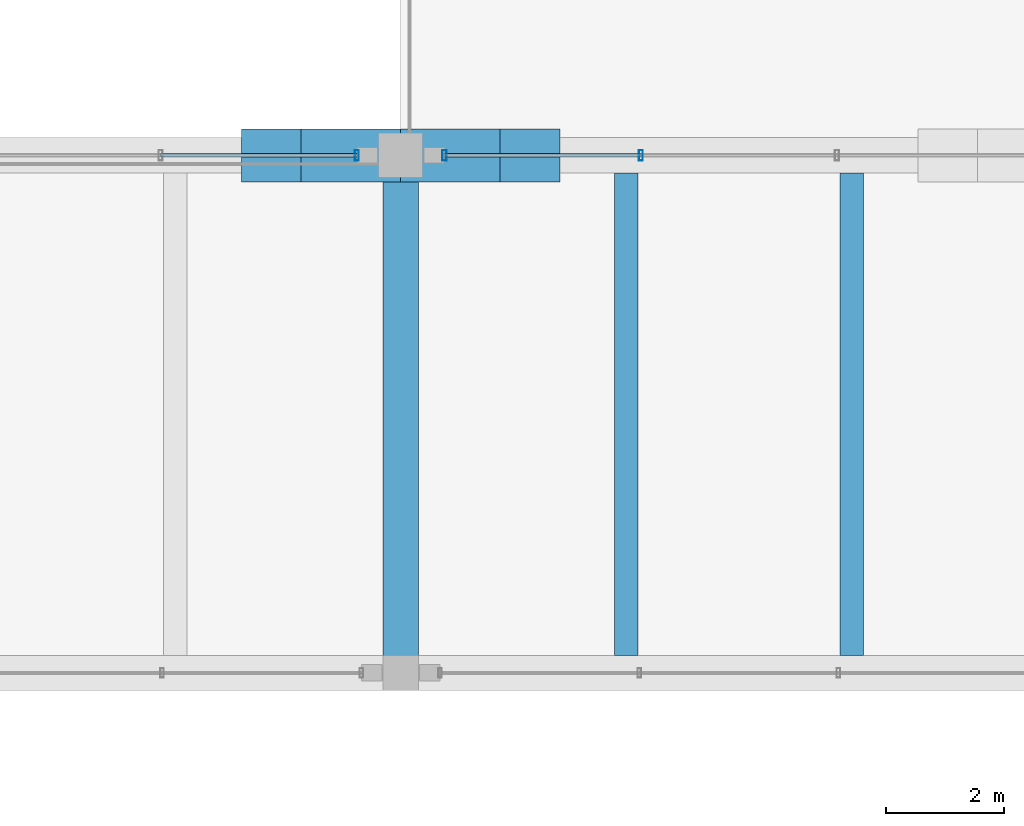
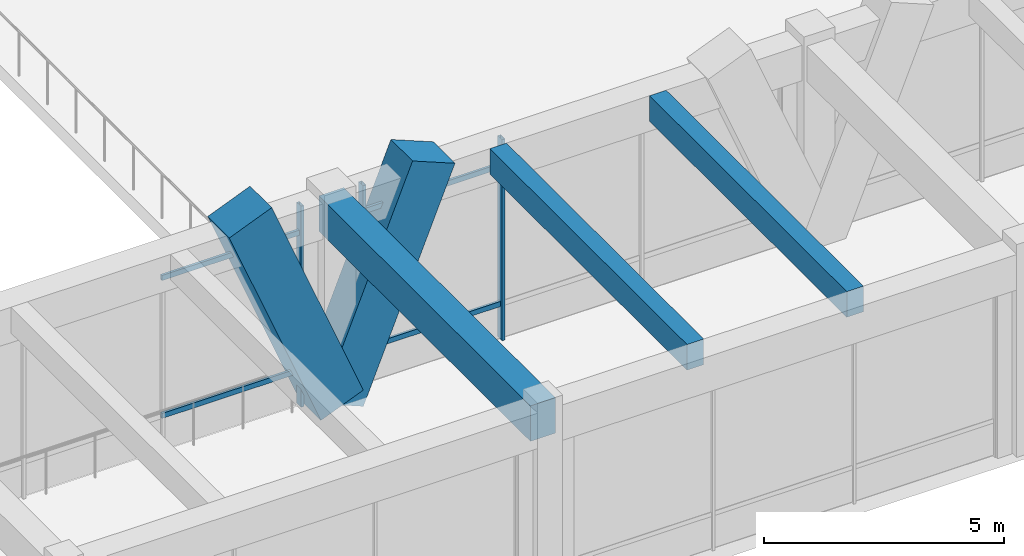
# One storey, part 17 of 148: 9 members, 3 beams, 2 elements without a shape of their own.
"""IFC4 building model written with IfcOpenShell, lengths in metres."""

from ifc_helpers import new_model, si_unit, direction, frame, origin, origin_2d, place, context, subcontext, project, spatial, rectangle, hollow_rectangle, extrude, material, material_profile, profile_set, type_object, element, aggregate, save


model = new_model("IFC4")

# Units and contexts
model_context = context("Model", 3, precision=1e-05, world=origin(), true_north=direction((0.0, 1.0)))
body_context = subcontext(model_context, "Body", "Model", "MODEL_VIEW")
ifc_project = project(units=[si_unit("LENGTHUNIT", "METRE"), si_unit("AREAUNIT", "SQUARE_METRE"), si_unit("VOLUMEUNIT", "CUBIC_METRE"), si_unit("PLANEANGLEUNIT", "RADIAN"), si_unit("MASSUNIT", "GRAM", prefix="KILO")], contexts=[model_context])

# Site, building, storey
site_placement = place(None, origin())
site = spatial("IfcSite", under=ifc_project, at=site_placement, CompositionType="ELEMENT")
building_placement = place(site_placement, origin())
building = spatial("IfcBuilding", under=site, at=building_placement, Name="Ologun Quay Terminus", CompositionType="ELEMENT")
storey_placement = place(building_placement, frame((0.0, 0.0, 8.39990234375)))
storey = spatial("IfcBuildingStorey", under=building, at=storey_placement, Name="L02", CompositionType="ELEMENT", Elevation=8.39990234375)

# Curtain wall, member
ifc_material_1 = material(Name="Aluminium 6063-T6", Category="aluminium")
curtain_wall_type = type_object("IfcCurtainWallType", Name="Train Shed South Clerestory Curtain Wall 10700x5050", PredefinedType="USERDEFINED", material=ifc_material_1)
curtain_wall_1_placement = place(storey_placement, origin())
curtain_wall_1 = element("IfcCurtainWall", 1, at=curtain_wall_1_placement, inside=storey, type_object=curtain_wall_type, Name="CW-08 Curtain Wall CW-L02-048", ObjectType="UNITISED CURTAIN WALL", PredefinedType="USERDEFINED")
ifc_material_2 = material(Name="Aluminium 6063-T6", Category="aluminium")
ifc_material_profile_1 = material_profile(ifc_material_2, hollow_rectangle(XDim=0.070068359375, YDim=0.179931640625, WallThickness=0.0048828125, at=origin_2d()), Name="ALU 180x70x5")
ifc_profile_set_1 = profile_set([ifc_material_profile_1], Name="Aluminium 6063-T6")
member_type_1 = type_object("IfcMemberType", Name="Concourse Clerestory Mullion 180x70", PredefinedType="MULLION", material=ifc_profile_set_1)
member_1_placement = place(storey_placement, frame((33.7548828125, 36.0, 0.0), z_axis=(0.0, 0.0, 1.0), x_axis=(1.0, 0.0, 0.0)))
member_1 = element("IfcMember", 2, at=member_1_placement, type_object=member_type_1, Name="CW-L02-048 Mullion 4", PredefinedType="MULLION", context=body_context, shape_type="SweptSolid", body=[
    extrude(hollow_rectangle(XDim=0.070068359375, YDim=0.179931640625, WallThickness=0.0048828125, at=origin_2d()), origin(), (0.0, 0.0, 1.0), 5.10009765625),
])

# Curtain wall, members
curtain_wall_2_placement = place(storey_placement, origin())
curtain_wall_2 = element("IfcCurtainWall", 3, at=curtain_wall_2_placement, inside=storey, type_object=curtain_wall_type, Name="CW-08 Curtain Wall CW-L02-050", ObjectType="UNITISED CURTAIN WALL", PredefinedType="USERDEFINED")
member_2_placement = place(storey_placement, frame((35.2451171875, 36.0, 0.0), z_axis=(0.0, 0.0, 1.0), x_axis=(1.0, 0.0, 0.0)))
member_2 = element("IfcMember", 4, at=member_2_placement, type_object=member_type_1, Name="CW-L02-050 Mullion 1", PredefinedType="MULLION", context=body_context, shape_type="SweptSolid", body=[
    extrude(hollow_rectangle(XDim=0.070068359375, YDim=0.179931640625, WallThickness=0.0048828125, at=origin_2d()), origin(), (0.0, 0.0, 1.0), 5.10009765625),
])
member_3_placement = place(storey_placement, frame((38.581787109375, 36.0, 0.0), z_axis=(0.0, 0.0, 1.0), x_axis=(1.0, 0.0, 0.0)))
member_3 = element("IfcMember", 5, at=member_3_placement, type_object=member_type_1, Name="CW-L02-050 Mullion 2", PredefinedType="MULLION", context=body_context, shape_type="SweptSolid", body=[
    extrude(hollow_rectangle(XDim=0.070068359375, YDim=0.179931640625, WallThickness=0.0048828125, at=origin_2d()), origin(), (0.0, 0.0, 1.0), 5.10009765625),
])

# Member
ifc_material_3 = material(Name="Aluminium 6063-T6", Category="aluminium")
ifc_material_profile_2 = material_profile(ifc_material_3, hollow_rectangle(XDim=0.06005859375, YDim=0.1298828125, WallThickness=0.00390625, at=origin_2d()), Name="ALU 130x60x4")
ifc_profile_set_2 = profile_set([ifc_material_profile_2], Name="Aluminium 6063-T6")
member_type_2 = type_object("IfcMemberType", Name="Concourse Clerestory Transom 130x60", PredefinedType="USERDEFINED", material=ifc_profile_set_2)
member_4_placement = place(storey_placement, frame((30.418212890625, 36.0, 0.900146484375), z_axis=(1.0, 0.0, 0.0), x_axis=(0.0, 1.0, 0.0)))
member_4 = element("IfcMember", 6, at=member_4_placement, type_object=member_type_2, Name="CW-L02-048 Transom B3-1", ObjectType="TRANSOM", PredefinedType="USERDEFINED", context=body_context, shape_type="SweptSolid", body=[
    extrude(hollow_rectangle(XDim=0.06005859375, YDim=0.1298828125, WallThickness=0.00390625, at=origin_2d()), origin(), (0.0, 0.0, 1.0), 3.336669921875),
])

member_5_placement = place(storey_placement, frame((30.418212890625, 36.0, 4.400146484375), z_axis=(1.0, 0.0, 0.0), x_axis=(0.0, 1.0, 0.0)))
member_5 = element("IfcMember", 7, at=member_5_placement, type_object=member_type_2, Name="CW-L02-048 Transom B3-2", ObjectType="TRANSOM", PredefinedType="USERDEFINED", context=body_context, shape_type="SweptSolid", body=[
    extrude(hollow_rectangle(XDim=0.06005859375, YDim=0.1298828125, WallThickness=0.00390625, at=origin_2d()), origin(), (0.0, 0.0, 1.0), 3.336669921875),
])

aggregate(curtain_wall_1, [member_1, member_4, member_5])

member_6_placement = place(storey_placement, frame((35.2451171875, 36.0, 0.900146484375), z_axis=(1.0, 0.0, 0.0), x_axis=(0.0, 1.0, 0.0)))
member_6 = element("IfcMember", 8, at=member_6_placement, type_object=member_type_2, Name="CW-L02-050 Transom B1-1", ObjectType="TRANSOM", PredefinedType="USERDEFINED", context=body_context, shape_type="SweptSolid", body=[
    extrude(hollow_rectangle(XDim=0.06005859375, YDim=0.1298828125, WallThickness=0.00390625, at=origin_2d()), origin(), (0.0, 0.0, 1.0), 3.336669921875),
])

member_7_placement = place(storey_placement, frame((35.2451171875, 36.0, 4.400146484375), z_axis=(1.0, 0.0, 0.0), x_axis=(0.0, 1.0, 0.0)))
member_7 = element("IfcMember", 9, at=member_7_placement, type_object=member_type_2, Name="CW-L02-050 Transom B1-2", ObjectType="TRANSOM", PredefinedType="USERDEFINED", context=body_context, shape_type="SweptSolid", body=[
    extrude(hollow_rectangle(XDim=0.06005859375, YDim=0.1298828125, WallThickness=0.00390625, at=origin_2d()), origin(), (0.0, 0.0, 1.0), 3.336669921875),
])

aggregate(curtain_wall_2, [member_2, member_3, member_6, member_7])

# Members
ifc_material_4 = material(Name="Concrete C45/55", Category="concrete")
ifc_material_profile_3 = material_profile(ifc_material_4, rectangle(XDim=0.89990234375, YDim=1.10009765625, at=origin_2d()), Name="RC 900x1100")
ifc_profile_set_3 = profile_set([ifc_material_profile_3], Name="Concrete C45/55")
member_type_3 = type_object("IfcMemberType", Name="Sculpted Concrete Arch V-Buttress Strut 900x1100", PredefinedType="STRUT", material=ifc_profile_set_3)
for number, where, z_axis, x_axis, name in (
    (10, (34.5, 36.0, 0.0), (-0.377280927807, 0.0, 0.926098861631), (0.0, -1.0, 0.0), "VS1 Arch V-Buttress West Limb 4/E"),
    (11, (34.5, 36.0, 0.0), (0.377280927807, 0.0, 0.926098861631), (0.0, 1.0, 0.0), "VS1 Arch V-Buttress East Limb 4/E"),
):
    element("IfcMember", number, at=place(storey_placement, frame(where, z_axis=z_axis, x_axis=x_axis)), inside=storey, type_object=member_type_3, Name=name, PredefinedType="STRUT", context=body_context, shape_type="SweptSolid", body=[
        extrude(rectangle(XDim=0.89990234375, YDim=1.10009765625, at=origin_2d()), origin(), (0.0, 0.0, 1.0), 5.8310546875),
    ])

# Beams
ifc_material_5 = material(Name="Concrete C40/50", Category="concrete")
ifc_material_profile_4 = material_profile(ifc_material_5, rectangle(XDim=0.60009765625, YDim=0.89990234375, at=origin_2d()), Name="RC 600x900")
ifc_profile_set_4 = profile_set([ifc_material_profile_4], Name="Concrete C40/50")
beam_type_1 = type_object("IfcBeamType", Name="Station Frame Girder 600x900", PredefinedType="BEAM", material=ifc_profile_set_4)
beam_placement = place(storey_placement, frame((34.5, 27.199951171875, 4.7001953125), z_axis=(0.0, 1.0, 0.0), x_axis=(-1.0, 0.0, 0.0)))
element("IfcBeam", 12, at=beam_placement, inside=storey, type_object=beam_type_1, Name="B3 Beam 4/D L02", PredefinedType="BEAM", context=body_context, shape_type="SweptSolid", body=[
    extrude(rectangle(XDim=0.60009765625, YDim=0.89990234375, at=origin_2d()), origin(), (0.0, 0.0, 1.0), 8.800048828125),
])
ifc_material_6 = material(Name="Concrete C40/50", Category="concrete")
ifc_material_profile_5 = material_profile(ifc_material_6, rectangle(XDim=0.39990234375, YDim=0.64990234375, at=origin_2d()), Name="RC 400x650")
ifc_profile_set_5 = profile_set([ifc_material_profile_5], Name="Concrete C40/50")
beam_type_2 = type_object("IfcBeamType", Name="Station Secondary Joist 400x650", PredefinedType="JOIST", material=ifc_profile_set_5)
for number, where, z_axis, x_axis, name in (
    (13, (38.333251953125, 27.5, 4.8251953125), (0.0, 1.0, 0.0), (-1.0, 0.0, 0.0), "J1 Beam 4/D L02"),
    (14, (42.166748046875, 27.5, 4.8251953125), (0.0, 1.0, 0.0), (-1.0, 0.0, 0.0), "J1 Beam 4/D L02"),
):
    element("IfcBeam", number, at=place(storey_placement, frame(where, z_axis=z_axis, x_axis=x_axis)), inside=storey, type_object=beam_type_2, Name=name, PredefinedType="JOIST", context=body_context, shape_type="SweptSolid", body=[
        extrude(rectangle(XDim=0.39990234375, YDim=0.64990234375, at=origin_2d()), origin(), (0.0, 0.0, 1.0), 8.199951171875),
    ])

save(model, "model.ifc")
